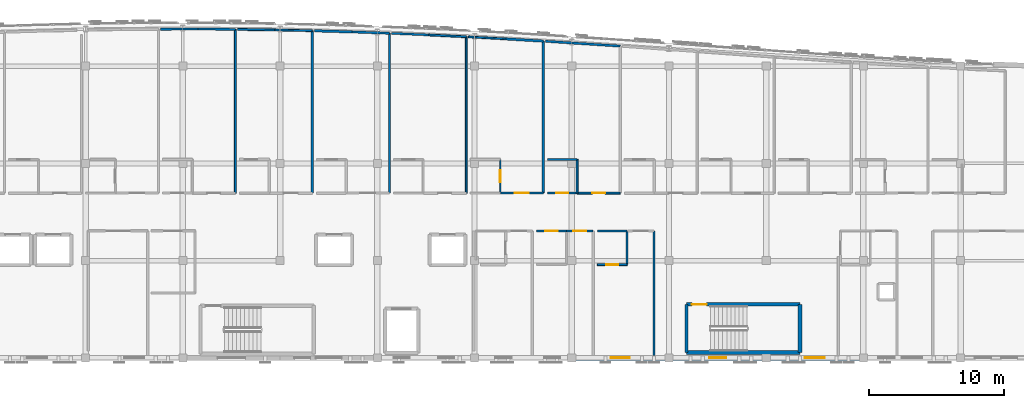
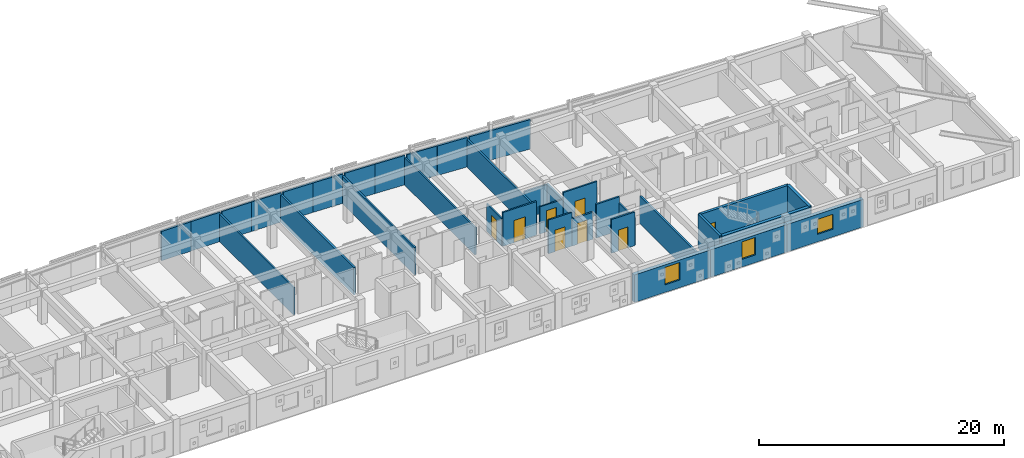
# One storey, part 44 of 51: 35 walls, 8 doors, 3 windows, 11 openings.
"""IFC4 building model written with IfcOpenShell, lengths in metres."""

from ifc_helpers import new_model, si_unit, direction, frame, frame_2d, origin, place, context, subcontext, project, spatial, rectangle, extrude, material, layer, layer_set, type_object, element, fill, save


model = new_model("IFC4")

# Units and contexts
model_context = context("Model", 3, precision=1e-05, world=origin(), true_north=direction((0.0, 1.0)))
body_context = subcontext(model_context, "Body", "Model", "MODEL_VIEW")
ifc_project = project(units=[si_unit("LENGTHUNIT", "METRE"), si_unit("AREAUNIT", "SQUARE_METRE"), si_unit("VOLUMEUNIT", "CUBIC_METRE"), si_unit("PLANEANGLEUNIT", "RADIAN"), si_unit("MASSUNIT", "GRAM", prefix="KILO")], contexts=[model_context])

# Site, building, storey
site_placement = place(None, origin())
site = spatial("IfcSite", under=ifc_project, at=site_placement, CompositionType="ELEMENT")
building_placement = place(site_placement, origin())
building = spatial("IfcBuilding", under=site, at=building_placement, Name="Carrowvane Square Congress Hotel", CompositionType="ELEMENT")
storey_placement = place(building_placement, frame((0.0, 0.0, 30.0)))
storey = spatial("IfcBuildingStorey", under=building, at=storey_placement, Name="L07", CompositionType="ELEMENT", Elevation=30.0)

# Wall, opening, window
ifc_material_1 = material(Name="Glazed terracotta rainscreen", Category="masonry")
ifc_layer_1 = layer(ifc_material_1, 0.360107421875)
ifc_layer_set_1 = layer_set([ifc_layer_1], Name="Glazed terracotta rainscreen")
wall_type_1 = type_object("IfcWallType", Name="WL-EXT-TC360", PredefinedType="STANDARD", material=ifc_layer_set_1)
wall_1_placement = place(storey_placement, frame((148.39990234375, 91.800048828125, 0.0), z_axis=(0.0, 0.0, 1.0), x_axis=(-1.0, 0.0, 0.0)))
wall_1 = element("IfcWall", 1, at=wall_1_placement, inside=storey, type_object=wall_type_1, Name="L07 exterior facade wall 516", PredefinedType="STANDARD", context=body_context, shape_type="SweptSolid", body=[
    extrude(rectangle(XDim=7.199951171875, YDim=0.360107421875, at=frame_2d((3.60009765625, 0.0))), origin(), (0.0, 0.0, 1.0), 2.7451171875),
])
opening_1_placement = place(wall_1_placement, frame((2.85009765625, 0.0, 0.75)))
opening_1 = element("IfcOpeningElement", 2, at=opening_1_placement, cuts=wall_1, Name="Opening W-15", PredefinedType="OPENING", context=body_context, shape_type="SweptSolid", body=[
    extrude(rectangle(XDim=1.5, YDim=1.5, at=frame_2d((0.75, 0.75))), frame((0.0, 0.18994140625, 0.0), z_axis=(0.0, -1.0, 0.0), x_axis=(1.0, 0.0, 0.0)), (0.0, 0.0, 1.0), 0.380126953125),
])
ifc_material_2 = material(Name="Double-glazed low-E glass", Category="glass")
window_type_1 = type_object("IfcWindowType", Name="WIN-15", PartitioningType="SINGLE_PANEL", PredefinedType="WINDOW", material=ifc_material_2)
window_1_placement = place(opening_1_placement, origin())
window_1 = element("IfcWindow", 3, at=window_1_placement, inside=storey, type_object=window_type_1, Name="L07 facade window 350", OverallHeight=1.5, OverallWidth=1.5, PartitioningType="SINGLE_PANEL", PredefinedType="WINDOW", context=body_context, shape_type="SweptSolid", body=[
    extrude(rectangle(XDim=1.5, YDim=1.5, at=frame_2d((0.75, 0.75))), frame((0.0, 0.030029296875, 0.0), z_axis=(0.0, -1.0, 0.0), x_axis=(1.0, 0.0, 0.0)), (0.0, 0.0, 1.0), 0.06005859375),
])
fill(opening_1, window_1)

wall_2_placement = place(storey_placement, frame((141.199951171875, 91.800048828125, 0.0), z_axis=(0.0, 0.0, 1.0), x_axis=(-1.0, 0.0, 0.0)))
wall_2 = element("IfcWall", 4, at=wall_2_placement, inside=storey, type_object=wall_type_1, Name="L07 exterior facade wall 517", PredefinedType="STANDARD", context=body_context, shape_type="SweptSolid", body=[
    extrude(rectangle(XDim=7.199951171875, YDim=0.360107421875, at=frame_2d((3.60009765625, 0.0))), origin(), (0.0, 0.0, 1.0), 2.7451171875),
])
opening_2_placement = place(wall_2_placement, frame((2.97509765625, 0.0, 0.75)))
opening_2 = element("IfcOpeningElement", 5, at=opening_2_placement, cuts=wall_2, Name="Opening W-21", PredefinedType="OPENING", context=body_context, shape_type="SweptSolid", body=[
    extrude(rectangle(XDim=1.25, YDim=1.75, at=frame_2d((0.625, 0.875))), frame((0.0, 0.18994140625, 0.0), z_axis=(0.0, -1.0, 0.0), x_axis=(1.0, 0.0, 0.0)), (0.0, 0.0, 1.0), 0.380126953125),
])
ifc_material_3 = material(Name="Double-glazed low-E glass", Category="glass")
window_type_2 = type_object("IfcWindowType", Name="WIN-21", PartitioningType="SINGLE_PANEL", PredefinedType="WINDOW", material=ifc_material_3)
window_2_placement = place(opening_2_placement, origin())
window_2 = element("IfcWindow", 6, at=window_2_placement, inside=storey, type_object=window_type_2, Name="L07 facade window 351", OverallHeight=1.75, OverallWidth=1.25, PartitioningType="SINGLE_PANEL", PredefinedType="WINDOW", context=body_context, shape_type="SweptSolid", body=[
    extrude(rectangle(XDim=1.25, YDim=1.75, at=frame_2d((0.625, 0.875))), frame((0.0, 0.030029296875, 0.0), z_axis=(0.0, -1.0, 0.0), x_axis=(1.0, 0.0, 0.0)), (0.0, 0.0, 1.0), 0.06005859375),
])
fill(opening_2, window_2)

wall_3_placement = place(storey_placement, frame((134.0, 91.800048828125, 0.0), z_axis=(0.0, 0.0, 1.0), x_axis=(-1.0, 0.0, 0.0)))
wall_3 = element("IfcWall", 7, at=wall_3_placement, inside=storey, type_object=wall_type_1, Name="L07 exterior facade wall 518", PredefinedType="STANDARD", context=body_context, shape_type="SweptSolid", body=[
    extrude(rectangle(XDim=7.199951171875, YDim=0.360107421875, at=frame_2d((3.60009765625, 0.0))), origin(), (0.0, 0.0, 1.0), 2.7451171875),
])
opening_3_placement = place(wall_3_placement, frame((2.89990234375, 0.0, 0.75)))
opening_3 = element("IfcOpeningElement", 8, at=opening_3_placement, cuts=wall_3, Name="Opening W-22", PredefinedType="OPENING", context=body_context, shape_type="SweptSolid", body=[
    extrude(rectangle(XDim=1.39990234375, YDim=1.75, at=frame_2d((0.699951171875, 0.875))), frame((0.0, 0.18994140625, 0.0), z_axis=(0.0, -1.0, 0.0), x_axis=(1.0, 0.0, 0.0)), (0.0, 0.0, 1.0), 0.380126953125),
])
ifc_material_4 = material(Name="Double-glazed low-E glass", Category="glass")
window_type_3 = type_object("IfcWindowType", Name="WIN-22", PartitioningType="SINGLE_PANEL", PredefinedType="WINDOW", material=ifc_material_4)
window_3_placement = place(opening_3_placement, origin())
window_3 = element("IfcWindow", 9, at=window_3_placement, inside=storey, type_object=window_type_3, Name="L07 facade window 352", OverallHeight=1.75, OverallWidth=1.39990234375, PartitioningType="SINGLE_PANEL", PredefinedType="WINDOW", context=body_context, shape_type="SweptSolid", body=[
    extrude(rectangle(XDim=1.39990234375, YDim=1.75, at=frame_2d((0.699951171875, 0.875))), frame((0.0, 0.030029296875, 0.0), z_axis=(0.0, -1.0, 0.0), x_axis=(1.0, 0.0, 0.0)), (0.0, 0.0, 1.0), 0.06005859375),
])
fill(opening_3, window_3)

# Wall, opening, door
ifc_material_5 = material(Name="Acoustic gypsum board", Category="gypsum")
ifc_layer_2 = layer(ifc_material_5, 0.155029296875)
ifc_layer_set_2 = layer_set([ifc_layer_2], Name="Acoustic gypsum board")
wall_type_2 = type_object("IfcWallType", Name="WL-FIR-155", PredefinedType="PARTITIONING", material=ifc_layer_set_2)
wall_4_placement = place(storey_placement, frame((126.409912109375, 101.199951171875, 0.0), z_axis=(0.0, 0.0, 1.0), x_axis=(1.0, 0.0, 0.0)))
wall_4 = element("IfcWall", 10, at=wall_4_placement, inside=storey, type_object=wall_type_2, Name="L07 Hotel Guest Bedroom 0708 partition", PredefinedType="PARTITIONING", context=body_context, shape_type="SweptSolid", body=[
    extrude(rectangle(XDim=1.97998046875, YDim=0.155029296875, at=frame_2d((0.989990234375, 0.0))), origin(), (0.0, 0.0, 1.0), 2.695068359375),
])
opening_4_placement = place(wall_4_placement, frame((0.514892578125, 0.0, 0.0)))
opening_4 = element("IfcOpeningElement", 11, at=opening_4_placement, cuts=wall_4, Name="Opening FD-06", PredefinedType="OPENING", context=body_context, shape_type="SweptSolid", body=[
    extrude(rectangle(XDim=0.949951171875, YDim=2.10009765625, at=frame_2d((0.47509765625, 1.050048828125))), frame((0.0, 0.08740234375, 0.0), z_axis=(0.0, -1.0, 0.0), x_axis=(1.0, 0.0, 0.0)), (0.0, 0.0, 1.0), 0.175048828125),
])
ifc_material_6 = material(Name="European oak timber", Category="wood")
door_type_1 = type_object("IfcDoorType", Name="DR-FD30-0950x2100", OperationType="NOTDEFINED", PredefinedType="DOOR", material=ifc_material_6)
door_1_placement = place(opening_4_placement, origin())
door_1 = element("IfcDoor", 12, at=door_1_placement, inside=storey, type_object=door_type_1, Name="L07 Hotel Guest Bedroom 0708 entrance door", OperationType="SINGLE_SWING_RIGHT", OverallHeight=2.10009765625, OverallWidth=0.949951171875, PredefinedType="DOOR", context=body_context, shape_type="SweptSolid", body=[
    extrude(rectangle(XDim=0.949951171875, YDim=2.10009765625, at=frame_2d((0.47509765625, 1.050048828125))), frame((0.0, 0.02490234375, 0.0), z_axis=(0.0, -1.0, 0.0), x_axis=(1.0, 0.0, 0.0)), (0.0, 0.0, 1.0), 0.050048828125),
])
fill(opening_4, door_1)

# Walls
wall_5_placement = place(storey_placement, frame((130.89990234375, 101.199951171875, 0.0), z_axis=(0.0, 0.0, 1.0), x_axis=(0.0, -1.0, 0.0)))
element("IfcWall", 13, at=wall_5_placement, inside=storey, type_object=wall_type_2, Name="L07 En-suite Bathroom 0709 partition", PredefinedType="PARTITIONING", context=body_context, shape_type="SweptSolid", body=[
    extrude(rectangle(XDim=2.5, YDim=0.155029296875, at=frame_2d((1.25, 0.0))), origin(), (0.0, 0.0, 1.0), 2.7451171875),
])
wall_6_placement = place(storey_placement, frame((99.1201171875, 116.146240234375, 0.0), z_axis=(0.0, 0.0, 1.0), x_axis=(0.999977562546, -0.006698836029, 0.0)))
element("IfcWall", 14, at=wall_6_placement, inside=storey, type_object=wall_type_2, Name="L07 Parkview Suite 0718 partition", PredefinedType="PARTITIONING", context=body_context, shape_type="SweptSolid", body=[
    extrude(rectangle(XDim=2.769775390625, YDim=0.155029296875, at=frame_2d((1.384765625, 0.0))), origin(), (0.0, 0.0, 1.0), 2.935546875),
])
wall_7_placement = place(storey_placement, frame((113.2900390625, 115.83837890625, 0.0), z_axis=(0.0, 0.0, 1.0), x_axis=(0.0, -1.0, 0.0)))
element("IfcWall", 15, at=wall_7_placement, inside=storey, type_object=wall_type_2, Name="L07 Parkview Suite 0720 partition", PredefinedType="PARTITIONING", context=body_context, shape_type="SweptSolid", body=[
    extrude(rectangle(XDim=11.83837890625, YDim=0.155029296875, at=frame_2d((5.919189453125, 0.0))), origin(), (0.0, 0.0, 1.0), 2.7451171875),
])
wall_8_placement = place(storey_placement, frame((113.449951171875, 115.831787109375, 0.0), z_axis=(0.0, 0.0, 1.0), x_axis=(0.999083864196, -0.042795236912, 0.0)))
element("IfcWall", 16, at=wall_8_placement, inside=storey, type_object=wall_type_2, Name="L07 Parkview Suite 0721 partition", PredefinedType="PARTITIONING", context=body_context, shape_type="SweptSolid", body=[
    extrude(rectangle(XDim=2.7724609375, YDim=0.155029296875, at=frame_2d((1.38623046875, 0.0))), origin(), (0.0, 0.0, 1.0), 2.935546875),
])

# Wall, opening, door
wall_9_placement = place(storey_placement, frame((124.68994140625, 104.0, 0.0), z_axis=(0.0, 0.0, 1.0), x_axis=(-1.0, 0.0, 0.0)))
wall_9 = element("IfcWall", 17, at=wall_9_placement, inside=storey, type_object=wall_type_2, Name="L07 Parkview Suite 0722 partition", PredefinedType="PARTITIONING", context=body_context, shape_type="SweptSolid", body=[
    extrude(rectangle(XDim=3.179931640625, YDim=0.155029296875, at=frame_2d((1.58984375, 0.0))), origin(), (0.0, 0.0, 1.0), 3.360107421875),
])
opening_5_placement = place(wall_9_placement, frame((1.06005859375, 0.0, 0.0)))
opening_5 = element("IfcOpeningElement", 18, at=opening_5_placement, cuts=wall_9, Name="Opening FD-09", PredefinedType="OPENING", context=body_context, shape_type="SweptSolid", body=[
    extrude(rectangle(XDim=1.06005859375, YDim=2.199951171875, at=frame_2d((0.530029296875, 1.10009765625))), frame((0.0, 0.08740234375, 0.0), z_axis=(0.0, -1.0, 0.0), x_axis=(1.0, 0.0, 0.0)), (0.0, 0.0, 1.0), 0.175048828125),
])
ifc_material_7 = material(Name="European oak timber", Category="wood")
door_type_2 = type_object("IfcDoorType", Name="DR-FD30-1060x2200", OperationType="NOTDEFINED", PredefinedType="DOOR", material=ifc_material_7)
door_2_placement = place(opening_5_placement, origin())
door_2 = element("IfcDoor", 19, at=door_2_placement, inside=storey, type_object=door_type_2, Name="L07 Parkview Suite 0722 entrance door", OperationType="SINGLE_SWING_RIGHT", OverallHeight=2.199951171875, OverallWidth=1.06005859375, PredefinedType="DOOR", context=body_context, shape_type="SweptSolid", body=[
    extrude(rectangle(XDim=1.06005859375, YDim=2.199951171875, at=frame_2d((0.530029296875, 1.10009765625))), frame((0.0, 0.02490234375, 0.0), z_axis=(0.0, -1.0, 0.0), x_axis=(1.0, 0.0, 0.0)), (0.0, 0.0, 1.0), 0.050048828125),
])
fill(opening_5, door_2)

# Walls
wall_10_placement = place(storey_placement, frame((125.0, 106.5, 0.0), z_axis=(0.0, 0.0, 1.0), x_axis=(1.0, 0.0, 0.0)))
element("IfcWall", 20, at=wall_10_placement, inside=storey, type_object=wall_type_2, Name="L07 En-suite Bathroom 0723 partition", PredefinedType="PARTITIONING", context=body_context, shape_type="SweptSolid", body=[
    extrude(rectangle(XDim=2.199951171875, YDim=0.155029296875, at=frame_2d((1.10009765625, 0.0))), origin(), (0.0, 0.0, 1.0), 2.695068359375),
])
ifc_material_8 = material(Name="Acoustic gypsum board", Category="gypsum")
ifc_layer_3 = layer(ifc_material_8, 0.169921875)
ifc_layer_set_3 = layer_set([ifc_layer_3], Name="Acoustic gypsum board")
wall_type_3 = type_object("IfcWallType", Name="WL-FIR-170", PredefinedType="PARTITIONING", material=ifc_layer_set_3)
wall_11_placement = place(storey_placement, frame((128.699951171875, 101.199951171875, 0.0), z_axis=(0.0, 0.0, 1.0), x_axis=(1.0, 0.0, 0.0)))
element("IfcWall", 21, at=wall_11_placement, inside=storey, type_object=wall_type_3, Name="L07 En-suite Bathroom 0709 partition", PredefinedType="PARTITIONING", context=body_context, shape_type="SweptSolid", body=[
    extrude(rectangle(XDim=2.199951171875, YDim=0.169921875, at=frame_2d((1.10009765625, 0.0))), origin(), (0.0, 0.0, 1.0), 3.360107421875),
])
wall_12_placement = place(storey_placement, frame((132.889892578125, 101.199951171875, 0.0), z_axis=(0.0, 0.0, 1.0), x_axis=(0.0, -1.0, 0.0)))
element("IfcWall", 22, at=wall_12_placement, inside=storey, type_object=wall_type_3, Name="L07 Hotel Guest Bedroom 0709 partition", PredefinedType="PARTITIONING", context=body_context, shape_type="SweptSolid", body=[
    extrude(rectangle(XDim=9.239990234375, YDim=0.169921875, at=frame_2d((4.6201171875, 0.0))), origin(), (0.0, 0.0, 1.0), 2.7451171875),
])
wall_13_placement = place(storey_placement, frame((96.35009765625, 116.14453125, 0.0), z_axis=(0.0, 0.0, 1.0), x_axis=(0.999999809682, 0.000616957401, 0.0)))
element("IfcWall", 23, at=wall_13_placement, inside=storey, type_object=wall_type_3, Name="L07 Parkview Suite 0718 partition", PredefinedType="PARTITIONING", context=body_context, shape_type="SweptSolid", body=[
    extrude(rectangle(XDim=2.77001953125, YDim=0.169921875, at=frame_2d((1.385009765625, 0.0))), origin(), (0.0, 0.0, 1.0), 2.935546875),
])
wall_14_placement = place(storey_placement, frame((110.52001953125, 115.93896484375, 0.0), z_axis=(0.0, 0.0, 1.0), x_axis=(0.999341357659, -0.036288439922, 0.0)))
element("IfcWall", 24, at=wall_14_placement, inside=storey, type_object=wall_type_3, Name="L07 Parkview Suite 0720 partition", PredefinedType="PARTITIONING", context=body_context, shape_type="SweptSolid", body=[
    extrude(rectangle(XDim=2.771728515625, YDim=0.169921875, at=frame_2d((1.3857421875, 0.0))), origin(), (0.0, 0.0, 1.0), 2.935546875),
])
wall_15_placement = place(storey_placement, frame((124.68994140625, 115.256103515625, 0.0), z_axis=(0.0, 0.0, 1.0), x_axis=(0.0, -1.0, 0.0)))
element("IfcWall", 25, at=wall_15_placement, inside=storey, type_object=wall_type_3, Name="L07 Parkview Suite 0722 partition", PredefinedType="PARTITIONING", context=body_context, shape_type="SweptSolid", body=[
    extrude(rectangle(XDim=11.256103515625, YDim=0.169921875, at=frame_2d((5.6279296875, 0.0))), origin(), (0.0, 0.0, 1.0), 2.7451171875),
])
wall_16_placement = place(storey_placement, frame((124.85009765625, 115.24609375, 0.0), z_axis=(0.0, 0.0, 1.0), x_axis=(0.997893928542, -0.064866843445, 0.0)))
element("IfcWall", 26, at=wall_16_placement, inside=storey, type_object=wall_type_3, Name="L07 Parkview Suite 0723 partition", PredefinedType="PARTITIONING", context=body_context, shape_type="SweptSolid", body=[
    extrude(rectangle(XDim=5.551513671875, YDim=0.169921875, at=frame_2d((2.77587890625, 0.0))), origin(), (0.0, 0.0, 1.0), 2.935546875),
])
ifc_material_9 = material(Name="Acoustic gypsum board", Category="gypsum")
ifc_layer_4 = layer(ifc_material_9, 0.18505859375)
ifc_layer_set_4 = layer_set([ifc_layer_4], Name="Acoustic gypsum board")
wall_type_4 = type_object("IfcWallType", Name="WL-FIR-185", PredefinedType="PARTITIONING", material=ifc_layer_set_4)
wall_17_placement = place(storey_placement, frame((107.590087890625, 116.02587890625, 0.0), z_axis=(0.0, 0.0, 1.0), x_axis=(0.0, -1.0, 0.0)))
element("IfcWall", 27, at=wall_17_placement, inside=storey, type_object=wall_type_4, Name="L07 Parkview Suite 0719 partition", PredefinedType="PARTITIONING", context=body_context, shape_type="SweptSolid", body=[
    extrude(rectangle(XDim=12.02587890625, YDim=0.18505859375, at=frame_2d((6.012939453125, 0.0))), origin(), (0.0, 0.0, 1.0), 2.7451171875),
])
wall_18_placement = place(storey_placement, frame((107.75, 116.021484375, 0.0), z_axis=(0.0, 0.0, 1.0), x_axis=(0.999556566091, -0.029777024444, 0.0)))
element("IfcWall", 28, at=wall_18_placement, inside=storey, type_object=wall_type_4, Name="L07 Parkview Suite 0720 partition", PredefinedType="PARTITIONING", context=body_context, shape_type="SweptSolid", body=[
    extrude(rectangle(XDim=2.771240234375, YDim=0.18505859375, at=frame_2d((1.3857421875, 0.0))), origin(), (0.0, 0.0, 1.0), 2.935546875),
])
wall_19_placement = place(storey_placement, frame((121.919921875, 115.420166015625, 0.0), z_axis=(0.0, 0.0, 1.0), x_axis=(0.998250627829, -0.059124310056, 0.0)))
element("IfcWall", 29, at=wall_19_placement, inside=storey, type_object=wall_type_4, Name="L07 Parkview Suite 0722 partition", PredefinedType="PARTITIONING", context=body_context, shape_type="SweptSolid", body=[
    extrude(rectangle(XDim=2.77490234375, YDim=0.18505859375, at=frame_2d((1.387451171875, 0.0))), origin(), (0.0, 0.0, 1.0), 2.935546875),
])

# Wall, opening, door
ifc_material_10 = material(Name="Acoustic gypsum board", Category="gypsum")
ifc_layer_5 = layer(ifc_material_10, 0.1279296875)
ifc_layer_set_5 = layer_set([ifc_layer_5], Name="Acoustic gypsum board")
wall_type_5 = type_object("IfcWallType", Name="WL-PRT-128", PredefinedType="PARTITIONING", material=ifc_layer_set_5)
wall_20_placement = place(storey_placement, frame((124.199951171875, 101.199951171875, 0.0), z_axis=(0.0, 0.0, 1.0), x_axis=(1.0, 0.0, 0.0)))
wall_20 = element("IfcWall", 30, at=wall_20_placement, inside=storey, type_object=wall_type_5, Name="L07 En-suite Bathroom 0708 partition", PredefinedType="PARTITIONING", context=body_context, shape_type="SweptSolid", body=[
    extrude(rectangle(XDim=2.199951171875, YDim=0.1279296875, at=frame_2d((1.10009765625, 0.0))), origin(), (0.0, 0.0, 1.0), 3.360107421875),
])
opening_6_placement = place(wall_20_placement, frame((0.6201171875, 0.0, 0.0)))
opening_6 = element("IfcOpeningElement", 31, at=opening_6_placement, cuts=wall_20, Name="Opening ID-05", PredefinedType="OPENING", context=body_context, shape_type="SweptSolid", body=[
    extrude(rectangle(XDim=0.9599609375, YDim=2.139892578125, at=frame_2d((0.47998046875, 1.06982421875))), frame((0.0, 0.073974609375, 0.0), z_axis=(0.0, -1.0, 0.0), x_axis=(1.0, 0.0, 0.0)), (0.0, 0.0, 1.0), 0.14794921875),
])
ifc_material_11 = material(Name="European oak timber", Category="wood")
door_type_3 = type_object("IfcDoorType", Name="DR-INT-0960x2140", OperationType="NOTDEFINED", PredefinedType="DOOR", material=ifc_material_11)
door_3_placement = place(opening_6_placement, origin())
door_3 = element("IfcDoor", 32, at=door_3_placement, inside=storey, type_object=door_type_3, Name="L07 En-suite Bathroom 0708 door", OperationType="SINGLE_SWING_LEFT", OverallHeight=2.139892578125, OverallWidth=0.9599609375, PredefinedType="DOOR", context=body_context, shape_type="SweptSolid", body=[
    extrude(rectangle(XDim=0.9599609375, YDim=2.139892578125, at=frame_2d((0.47998046875, 1.06982421875))), frame((0.0, 0.02490234375, 0.0), z_axis=(0.0, -1.0, 0.0), x_axis=(1.0, 0.0, 0.0)), (0.0, 0.0, 1.0), 0.050048828125),
])
fill(opening_6, door_3)

wall_21_placement = place(storey_placement, frame((121.5, 106.5, 0.0), z_axis=(0.0, 0.0, 1.0), x_axis=(0.0, -1.0, 0.0)))
wall_21 = element("IfcWall", 33, at=wall_21_placement, inside=storey, type_object=wall_type_5, Name="L07 En-suite Bathroom 0722 partition", PredefinedType="PARTITIONING", context=body_context, shape_type="SweptSolid", body=[
    extrude(rectangle(XDim=2.5, YDim=0.1279296875, at=frame_2d((1.25, 0.0))), origin(), (0.0, 0.0, 1.0), 2.7451171875),
])
opening_7_placement = place(wall_21_placement, frame((0.81494140625, 0.0, 0.0)))
opening_7 = element("IfcOpeningElement", 34, at=opening_7_placement, cuts=wall_21, Name="Opening ID-15", PredefinedType="OPENING", context=body_context, shape_type="SweptSolid", body=[
    extrude(rectangle(XDim=0.8701171875, YDim=2.070068359375, at=frame_2d((0.43505859375, 1.03515625))), frame((0.0, 0.073974609375, 0.0), z_axis=(0.0, -1.0, 0.0), x_axis=(1.0, 0.0, 0.0)), (0.0, 0.0, 1.0), 0.14794921875),
])
ifc_material_12 = material(Name="European oak timber", Category="wood")
door_type_4 = type_object("IfcDoorType", Name="DR-INT-0870x2070", OperationType="NOTDEFINED", PredefinedType="DOOR", material=ifc_material_12)
door_4_placement = place(opening_7_placement, origin())
door_4 = element("IfcDoor", 35, at=door_4_placement, inside=storey, type_object=door_type_4, Name="L07 En-suite Bathroom 0722 door", OperationType="SINGLE_SWING_LEFT", OverallHeight=2.070068359375, OverallWidth=0.8701171875, PredefinedType="DOOR", context=body_context, shape_type="SweptSolid", body=[
    extrude(rectangle(XDim=0.8701171875, YDim=2.070068359375, at=frame_2d((0.43505859375, 1.03515625))), frame((0.0, 0.02490234375, 0.0), z_axis=(0.0, -1.0, 0.0), x_axis=(1.0, 0.0, 0.0)), (0.0, 0.0, 1.0), 0.050048828125),
])
fill(opening_7, door_4)

# Walls
ifc_material_13 = material(Name="Acoustic gypsum board", Category="gypsum")
ifc_layer_6 = layer(ifc_material_13, 0.137939453125)
ifc_layer_set_6 = layer_set([ifc_layer_6], Name="Acoustic gypsum board")
wall_type_6 = type_object("IfcWallType", Name="WL-PRT-138", PredefinedType="PARTITIONING", material=ifc_layer_set_6)
wall_22_placement = place(storey_placement, frame((104.820068359375, 116.0859375, 0.0), z_axis=(0.0, 0.0, 1.0), x_axis=(0.999765035867, -0.021676555511, 0.0)))
element("IfcWall", 36, at=wall_22_placement, inside=storey, type_object=wall_type_6, Name="L07 Parkview Suite 0719 partition", PredefinedType="PARTITIONING", context=body_context, shape_type="SweptSolid", body=[
    extrude(rectangle(XDim=2.770751953125, YDim=0.137939453125, at=frame_2d((1.38525390625, 0.0))), origin(), (0.0, 0.0, 1.0), 2.935546875),
])
wall_23_placement = place(storey_placement, frame((118.989990234375, 115.578369140625, 0.0), z_axis=(0.0, 0.0, 1.0), x_axis=(0.0, -1.0, 0.0)))
element("IfcWall", 37, at=wall_23_placement, inside=storey, type_object=wall_type_6, Name="L07 Parkview Suite 0721 partition", PredefinedType="PARTITIONING", context=body_context, shape_type="SweptSolid", body=[
    extrude(rectangle(XDim=11.578369140625, YDim=0.137939453125, at=frame_2d((5.7890625, 0.0))), origin(), (0.0, 0.0, 1.0), 2.7451171875),
])
wall_24_placement = place(storey_placement, frame((119.14990234375, 115.5703125, 0.0), z_axis=(0.0, 0.0, 1.0), x_axis=(0.998534185655, -0.054124671618, 0.0)))
element("IfcWall", 38, at=wall_24_placement, inside=storey, type_object=wall_type_6, Name="L07 Parkview Suite 0722 partition", PredefinedType="PARTITIONING", context=body_context, shape_type="SweptSolid", body=[
    extrude(rectangle(XDim=2.774169921875, YDim=0.137939453125, at=frame_2d((1.38720703125, 0.0))), origin(), (0.0, 0.0, 1.0), 2.935546875),
])

# Wall, opening, door
wall_25_placement = place(storey_placement, frame((127.199951171875, 104.0, 0.0), z_axis=(0.0, 0.0, 1.0), x_axis=(-1.0, 0.0, 0.0)))
wall_25 = element("IfcWall", 39, at=wall_25_placement, inside=storey, type_object=wall_type_6, Name="L07 En-suite Bathroom 0723 partition", PredefinedType="PARTITIONING", context=body_context, shape_type="SweptSolid", body=[
    extrude(rectangle(XDim=2.199951171875, YDim=0.137939453125, at=frame_2d((1.10009765625, 0.0))), origin(), (0.0, 0.0, 1.0), 2.695068359375),
])
opening_8_placement = place(wall_25_placement, frame((0.64501953125, 0.0, 0.0)))
opening_8 = element("IfcOpeningElement", 40, at=opening_8_placement, cuts=wall_25, Name="Opening ID-17", PredefinedType="OPENING", context=body_context, shape_type="SweptSolid", body=[
    extrude(rectangle(XDim=0.909912109375, YDim=2.110107421875, at=frame_2d((0.455078125, 1.05517578125))), frame((0.0, 0.078857421875, 0.0), z_axis=(0.0, -1.0, 0.0), x_axis=(1.0, 0.0, 0.0)), (0.0, 0.0, 1.0), 0.157958984375),
])
ifc_material_14 = material(Name="European oak timber", Category="wood")
door_type_5 = type_object("IfcDoorType", Name="DR-INT-0910x2110", OperationType="NOTDEFINED", PredefinedType="DOOR", material=ifc_material_14)
door_5_placement = place(opening_8_placement, origin())
door_5 = element("IfcDoor", 41, at=door_5_placement, inside=storey, type_object=door_type_5, Name="L07 En-suite Bathroom 0723 door", OperationType="SINGLE_SWING_LEFT", OverallHeight=2.110107421875, OverallWidth=0.909912109375, PredefinedType="DOOR", context=body_context, shape_type="SweptSolid", body=[
    extrude(rectangle(XDim=0.909912109375, YDim=2.110107421875, at=frame_2d((0.455078125, 1.05517578125))), frame((0.0, 0.02490234375, 0.0), z_axis=(0.0, -1.0, 0.0), x_axis=(1.0, 0.0, 0.0)), (0.0, 0.0, 1.0), 0.050048828125),
])
fill(opening_8, door_5)

ifc_material_15 = material(Name="Acoustic gypsum board", Category="gypsum")
ifc_layer_7 = layer(ifc_material_15, 0.14794921875)
ifc_layer_set_7 = layer_set([ifc_layer_7], Name="Acoustic gypsum board")
wall_type_7 = type_object("IfcWallType", Name="WL-PRT-148", PredefinedType="PARTITIONING", material=ifc_layer_set_7)
wall_26_placement = place(storey_placement, frame((130.89990234375, 98.699951171875, 0.0), z_axis=(0.0, 0.0, 1.0), x_axis=(-1.0, 0.0, 0.0)))
wall_26 = element("IfcWall", 42, at=wall_26_placement, inside=storey, type_object=wall_type_7, Name="L07 En-suite Bathroom 0709 partition", PredefinedType="PARTITIONING", context=body_context, shape_type="SweptSolid", body=[
    extrude(rectangle(XDim=2.199951171875, YDim=0.14794921875, at=frame_2d((1.10009765625, 0.0))), origin(), (0.0, 0.0, 1.0), 3.360107421875),
])
opening_9_placement = place(wall_26_placement, frame((0.655029296875, 0.0, 0.0)))
opening_9 = element("IfcOpeningElement", 43, at=opening_9_placement, cuts=wall_26, Name="Opening ID-16", PredefinedType="OPENING", context=body_context, shape_type="SweptSolid", body=[
    extrude(rectangle(XDim=0.889892578125, YDim=2.090087890625, at=frame_2d((0.44482421875, 1.044921875))), frame((0.0, 0.083984375, 0.0), z_axis=(0.0, -1.0, 0.0), x_axis=(1.0, 0.0, 0.0)), (0.0, 0.0, 1.0), 0.16796875),
])
ifc_material_16 = material(Name="European oak timber", Category="wood")
door_type_6 = type_object("IfcDoorType", Name="DR-INT-0890x2090", OperationType="NOTDEFINED", PredefinedType="DOOR", material=ifc_material_16)
door_6_placement = place(opening_9_placement, origin())
door_6 = element("IfcDoor", 44, at=door_6_placement, inside=storey, type_object=door_type_6, Name="L07 En-suite Bathroom 0709 door", OperationType="SINGLE_SWING_LEFT", OverallHeight=2.090087890625, OverallWidth=0.889892578125, PredefinedType="DOOR", context=body_context, shape_type="SweptSolid", body=[
    extrude(rectangle(XDim=0.889892578125, YDim=2.090087890625, at=frame_2d((0.44482421875, 1.044921875))), frame((0.0, 0.02490234375, 0.0), z_axis=(0.0, -1.0, 0.0), x_axis=(1.0, 0.0, 0.0)), (0.0, 0.0, 1.0), 0.050048828125),
])
fill(opening_9, door_6)

# Walls
wall_27_placement = place(storey_placement, frame((101.889892578125, 116.127685546875, 0.0), z_axis=(0.0, 0.0, 1.0), x_axis=(0.0, -1.0, 0.0)))
element("IfcWall", 45, at=wall_27_placement, inside=storey, type_object=wall_type_7, Name="L07 Parkview Suite 0718 partition", PredefinedType="PARTITIONING", context=body_context, shape_type="SweptSolid", body=[
    extrude(rectangle(XDim=12.127685546875, YDim=0.14794921875, at=frame_2d((6.06396484375, 0.0))), origin(), (0.0, 0.0, 1.0), 2.7451171875),
])
wall_28_placement = place(storey_placement, frame((102.050048828125, 116.1259765625, 0.0), z_axis=(0.0, 0.0, 1.0), x_axis=(0.999895551046, -0.01445292353, 0.0)))
element("IfcWall", 46, at=wall_28_placement, inside=storey, type_object=wall_type_7, Name="L07 Parkview Suite 0719 partition", PredefinedType="PARTITIONING", context=body_context, shape_type="SweptSolid", body=[
    extrude(rectangle(XDim=2.770263671875, YDim=0.14794921875, at=frame_2d((1.38525390625, 0.0))), origin(), (0.0, 0.0, 1.0), 2.935546875),
])
wall_29_placement = place(storey_placement, frame((116.219970703125, 115.713134765625, 0.0), z_axis=(0.0, 0.0, 1.0), x_axis=(0.998818612245, -0.048594030844, 0.0)))
element("IfcWall", 47, at=wall_29_placement, inside=storey, type_object=wall_type_7, Name="L07 Parkview Suite 0721 partition", PredefinedType="PARTITIONING", context=body_context, shape_type="SweptSolid", body=[
    extrude(rectangle(XDim=2.773193359375, YDim=0.14794921875, at=frame_2d((1.38671875, 0.0))), origin(), (0.0, 0.0, 1.0), 2.935546875),
])
wall_30_placement = place(storey_placement, frame((127.199951171875, 106.5, 0.0), z_axis=(0.0, 0.0, 1.0), x_axis=(0.0, -1.0, 0.0)))
element("IfcWall", 48, at=wall_30_placement, inside=storey, type_object=wall_type_7, Name="L07 En-suite Bathroom 0723 partition", PredefinedType="PARTITIONING", context=body_context, shape_type="SweptSolid", body=[
    extrude(rectangle(XDim=2.5, YDim=0.14794921875, at=frame_2d((1.25, 0.0))), origin(), (0.0, 0.0, 1.0), 2.7451171875),
])

# Wall, opening, door
wall_31_placement = place(storey_placement, frame((130.389892578125, 104.0, 0.0), z_axis=(0.0, 0.0, 1.0), x_axis=(-1.0, 0.0, 0.0)))
wall_31 = element("IfcWall", 49, at=wall_31_placement, inside=storey, type_object=wall_type_7, Name="L07 Parkview Suite 0723 partition", PredefinedType="PARTITIONING", context=body_context, shape_type="SweptSolid", body=[
    extrude(rectangle(XDim=3.179931640625, YDim=0.14794921875, at=frame_2d((1.58984375, 0.0))), origin(), (0.0, 0.0, 1.0), 3.360107421875),
])
opening_10_placement = place(wall_31_placement, frame((1.114990234375, 0.0, 0.0)))
opening_10 = element("IfcOpeningElement", 50, at=opening_10_placement, cuts=wall_31, Name="Opening FD-06", PredefinedType="OPENING", context=body_context, shape_type="SweptSolid", body=[
    extrude(rectangle(XDim=0.949951171875, YDim=2.10009765625, at=frame_2d((0.47509765625, 1.050048828125))), frame((0.0, 0.083984375, 0.0), z_axis=(0.0, -1.0, 0.0), x_axis=(1.0, 0.0, 0.0)), (0.0, 0.0, 1.0), 0.16796875),
])
door_7_placement = place(opening_10_placement, origin())
door_7 = element("IfcDoor", 51, at=door_7_placement, inside=storey, type_object=door_type_1, Name="L07 Parkview Suite 0723 entrance door", OperationType="SINGLE_SWING_RIGHT", OverallHeight=2.10009765625, OverallWidth=0.949951171875, PredefinedType="DOOR", context=body_context, shape_type="SweptSolid", body=[
    extrude(rectangle(XDim=0.949951171875, YDim=2.10009765625, at=frame_2d((0.47509765625, 1.050048828125))), frame((0.0, 0.02490234375, 0.0), z_axis=(0.0, -1.0, 0.0), x_axis=(1.0, 0.0, 0.0)), (0.0, 0.0, 1.0), 0.050048828125),
])
fill(opening_10, door_7)

# Wall
ifc_material_17 = material(Name="Concrete C40/50", Category="concrete")
ifc_layer_8 = layer(ifc_material_17, 0.22509765625)
ifc_layer_set_8 = layer_set([ifc_layer_8], Name="Concrete C40/50")
wall_type_8 = type_object("IfcWallType", Name="WL-SHR-225", PredefinedType="SHEAR", material=ifc_layer_set_8)
wall_32_placement = place(storey_placement, frame((135.300048828125, 95.760009765625, 0.0), z_axis=(0.0, 0.0, 1.0), x_axis=(0.0, -1.0, 0.0)))
element("IfcWall", 52, at=wall_32_placement, inside=storey, type_object=wall_type_8, Name="L07 ST12 core wall west", PredefinedType="SHEAR", context=body_context, shape_type="SweptSolid", body=[
    extrude(rectangle(XDim=3.56005859375, YDim=0.22509765625, at=frame_2d((1.780029296875, 0.0))), origin(), (0.0, 0.0, 1.0), 3.360107421875),
])

# Wall, opening, door
ifc_material_18 = material(Name="Concrete C40/50", Category="concrete")
ifc_layer_9 = layer(ifc_material_18, 0.25)
ifc_layer_set_9 = layer_set([ifc_layer_9], Name="Concrete C40/50")
wall_type_9 = type_object("IfcWallType", Name="WL-SHR-250", PredefinedType="SHEAR", material=ifc_layer_set_9)
wall_33_placement = place(storey_placement, frame((143.699951171875, 95.760009765625, 0.0), z_axis=(0.0, 0.0, 1.0), x_axis=(-1.0, 0.0, 0.0)))
wall_33 = element("IfcWall", 53, at=wall_33_placement, inside=storey, type_object=wall_type_9, Name="L07 ST12 core wall north", PredefinedType="SHEAR", context=body_context, shape_type="SweptSolid", body=[
    extrude(rectangle(XDim=8.39990234375, YDim=0.25, at=frame_2d((4.199951171875, 0.0))), origin(), (0.0, 0.0, 1.0), 3.360107421875),
])
opening_11_placement = place(wall_33_placement, frame((6.909912109375, 0.0, 0.0)))
opening_11 = element("IfcOpeningElement", 54, at=opening_11_placement, cuts=wall_33, Name="Opening FD-01", PredefinedType="OPENING", context=body_context, shape_type="SweptSolid", body=[
    extrude(rectangle(XDim=1.10009765625, YDim=2.10009765625, at=frame_2d((0.550048828125, 1.050048828125))), frame((0.0, 0.135009765625, 0.0), z_axis=(0.0, -1.0, 0.0), x_axis=(1.0, 0.0, 0.0)), (0.0, 0.0, 1.0), 0.27001953125),
])
ifc_material_19 = material(Name="European oak timber", Category="wood")
door_type_7 = type_object("IfcDoorType", Name="DR-FD60-1100x2100", OperationType="NOTDEFINED", PredefinedType="DOOR", material=ifc_material_19)
door_8_placement = place(opening_11_placement, origin())
door_8 = element("IfcDoor", 55, at=door_8_placement, inside=storey, type_object=door_type_7, Name="L07 ST12 fire door", OperationType="SINGLE_SWING_RIGHT", OverallHeight=2.10009765625, OverallWidth=1.10009765625, PredefinedType="DOOR", context=body_context, shape_type="SweptSolid", body=[
    extrude(rectangle(XDim=1.10009765625, YDim=2.10009765625, at=frame_2d((0.550048828125, 1.050048828125))), frame((0.0, 0.02490234375, 0.0), z_axis=(0.0, -1.0, 0.0), x_axis=(1.0, 0.0, 0.0)), (0.0, 0.0, 1.0), 0.050048828125),
])
fill(opening_11, door_8)

# Walls
ifc_material_20 = material(Name="Concrete C40/50", Category="concrete")
ifc_layer_10 = layer(ifc_material_20, 0.27490234375)
ifc_layer_set_10 = layer_set([ifc_layer_10], Name="Concrete C40/50")
wall_type_10 = type_object("IfcWallType", Name="WL-SHR-275", PredefinedType="SHEAR", material=ifc_layer_set_10)
wall_34_placement = place(storey_placement, frame((143.699951171875, 92.199951171875, 0.0), z_axis=(0.0, 0.0, 1.0), x_axis=(0.0, 1.0, 0.0)))
element("IfcWall", 56, at=wall_34_placement, inside=storey, type_object=wall_type_10, Name="L07 ST12 core wall east", PredefinedType="SHEAR", context=body_context, shape_type="SweptSolid", body=[
    extrude(rectangle(XDim=3.56005859375, YDim=0.27490234375, at=frame_2d((1.780029296875, 0.0))), origin(), (0.0, 0.0, 1.0), 3.360107421875),
])
ifc_material_21 = material(Name="Concrete C40/50", Category="concrete")
ifc_layer_11 = layer(ifc_material_21, 0.300048828125)
ifc_layer_set_11 = layer_set([ifc_layer_11], Name="Concrete C40/50")
wall_type_11 = type_object("IfcWallType", Name="WL-SHR-300", PredefinedType="SHEAR", material=ifc_layer_set_11)
wall_35_placement = place(storey_placement, frame((135.300048828125, 92.199951171875, 0.0), z_axis=(0.0, 0.0, 1.0), x_axis=(1.0, 0.0, 0.0)))
element("IfcWall", 57, at=wall_35_placement, inside=storey, type_object=wall_type_11, Name="L07 ST12 core wall south", PredefinedType="SHEAR", context=body_context, shape_type="SweptSolid", body=[
    extrude(rectangle(XDim=8.39990234375, YDim=0.300048828125, at=frame_2d((4.199951171875, 0.0))), origin(), (0.0, 0.0, 1.0), 3.360107421875),
])

save(model, "model.ifc")
